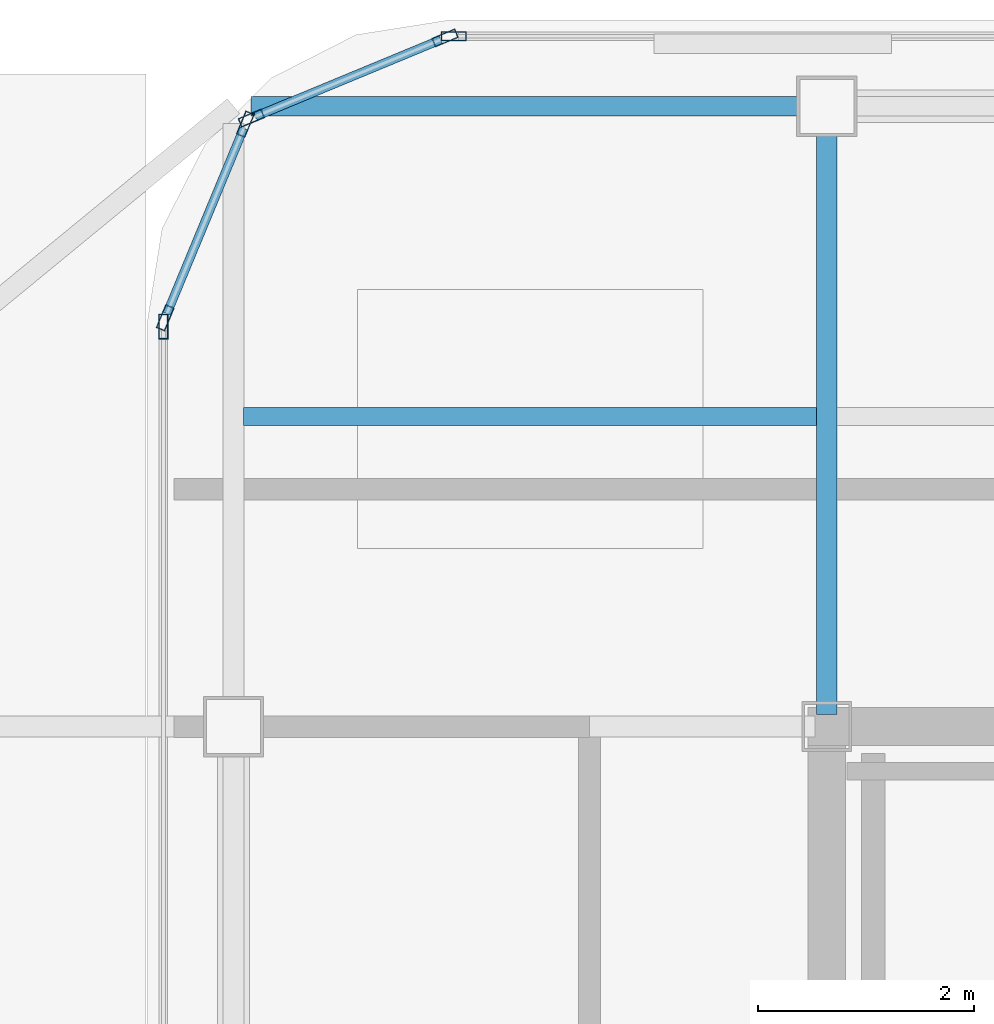
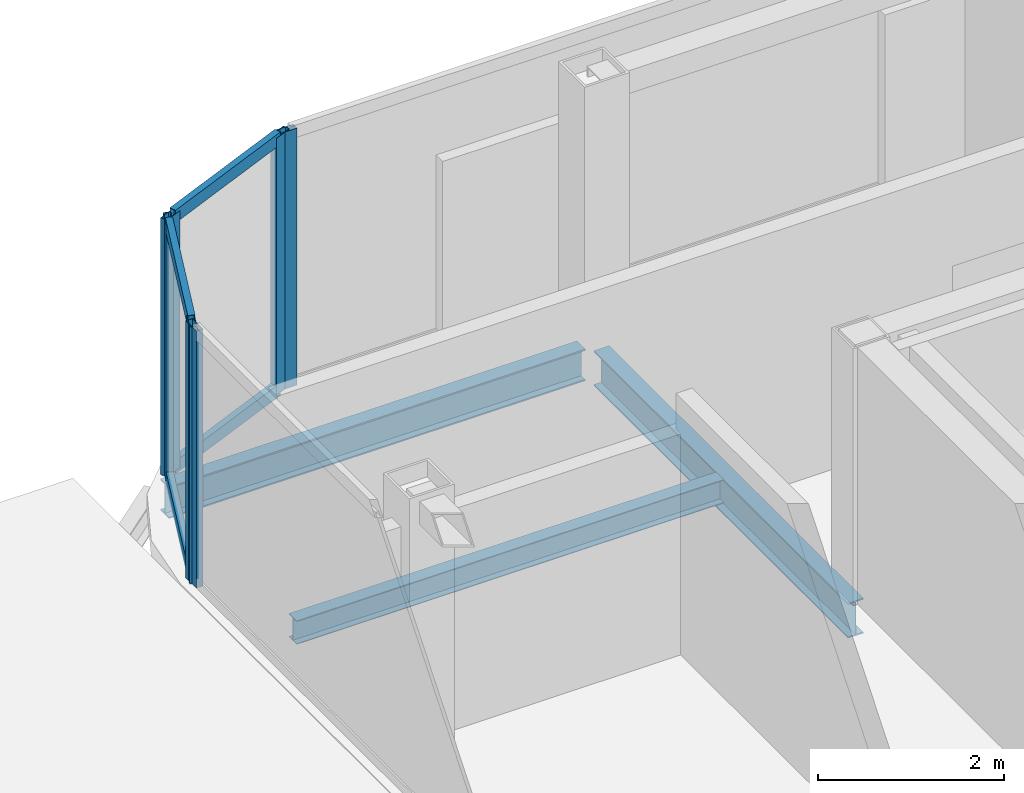
# One storey, part 4 of 11: 10 members, 3 beams, 4 elements without a shape of their own.
"""IFC4 building model written with IfcOpenShell, lengths in metres."""

from ifc_helpers import new_model, si_unit, direction, frame, origin, origin_2d, place, context, subcontext, project, spatial, hollow_rectangle, i_section, extrude, source, transform, mapped, material, layer, layer_set, material_profile, profile_set, type_object, element, aggregate, save


model = new_model("IFC4")

# Units and contexts
model_context = context("Model", 3, precision=1e-05, world=origin(), true_north=direction((0.0, 1.0)))
body_context = subcontext(model_context, "Body", "Model", "MODEL_VIEW")
ifc_project = project(units=[si_unit("LENGTHUNIT", "METRE"), si_unit("AREAUNIT", "SQUARE_METRE"), si_unit("VOLUMEUNIT", "CUBIC_METRE"), si_unit("PLANEANGLEUNIT", "RADIAN"), si_unit("MASSUNIT", "GRAM", prefix="KILO")], contexts=[model_context])

# Site, building, storey
site_placement = place(None, origin())
site = spatial("IfcSite", under=ifc_project, at=site_placement, CompositionType="ELEMENT")
building_placement = place(site_placement, origin())
building = spatial("IfcBuilding", under=site, at=building_placement, Name="Kolveth Station Tower", CompositionType="ELEMENT")
storey_placement = place(building_placement, frame((0.0, 0.0, 278.5)))
storey = spatial("IfcBuildingStorey", under=building, at=storey_placement, Name="L80", CompositionType="ELEMENT", Elevation=278.5)

# Beams
ifc_material_1 = material(Name="Steel S355", Category="steel")
ifc_material_profile_1 = material_profile(ifc_material_1, i_section(OverallWidth=0.180908203125, OverallDepth=0.4169921875, WebThickness=0.010986328125, FlangeThickness=0.018310546875, at=origin_2d()), Name="W410x85")
ifc_profile_set_1 = profile_set([ifc_material_profile_1], Name="Steel S355")
beam_type_1 = type_object("IfcBeamType", Name="Beam_B8", PredefinedType="BEAM", material=ifc_profile_set_1)
shared_shape_1 = source(origin(), body_context, "Body", "SweptSolid", [
    extrude(i_section(OverallWidth=0.180908203125, OverallDepth=0.4169921875, WebThickness=0.010986328125, FlangeThickness=0.018310546875, at=origin_2d()), origin(), (0.0, 0.0, 1.0), 5.18017578125),
])
beam_1_placement = place(storey_placement, frame((13.159912109375, 34.5, -0.428466796875), z_axis=(1.0, 0.0, 0.0), x_axis=(0.0, 1.0, 0.0)))
element("IfcBeam", 1, at=beam_1_placement, inside=storey, type_object=beam_type_1, Name="L80 Perimeter Spandrel BM-L80-PN-1", PredefinedType="BEAM", context=body_context, shape_type="MappedRepresentation", body=[
    mapped(shared_shape_1, transform((0.0, 0.0, 0.0), x_axis=(1.0, 0.0, 0.0), y_axis=(0.0, 1.0, 0.0), z_axis=(0.0, 0.0, 1.0), scale=1.0)),
])
ifc_material_profile_2 = material_profile(ifc_material_1, i_section(OverallWidth=0.19091796875, OverallDepth=0.4599609375, WebThickness=0.010009765625, FlangeThickness=0.01611328125, at=origin_2d()), Name="W460x82")
ifc_profile_set_2 = profile_set([ifc_material_profile_2], Name="Steel S355")
beam_type_2 = type_object("IfcBeamType", Name="Beam_B7", PredefinedType="BEAM", material=ifc_profile_set_2)
shared_shape_2 = source(origin(), body_context, "Body", "SweptSolid", [
    extrude(i_section(OverallWidth=0.19091796875, OverallDepth=0.4599609375, WebThickness=0.010009765625, FlangeThickness=0.01611328125, at=origin_2d()), origin(), (0.0, 0.0, 1.0), 5.47998046875),
])
beam_2_placement = place(storey_placement, frame((18.5, 28.860107421875, -0.449951171875), z_axis=(0.0, 1.0, 0.0), x_axis=(-1.0, 0.0, 0.0)))
element("IfcBeam", 2, at=beam_2_placement, inside=storey, type_object=beam_type_2, Name="L80 Primary Girder BM-L80-GX185-5", PredefinedType="BEAM", context=body_context, shape_type="MappedRepresentation", body=[
    mapped(shared_shape_2, transform((0.0, 0.0, 0.0), x_axis=(1.0, 0.0, 0.0), y_axis=(0.0, 1.0, 0.0), z_axis=(0.0, 0.0, 1.0), scale=1.0)),
])
ifc_material_profile_3 = material_profile(ifc_material_1, i_section(OverallWidth=0.1650390625, OverallDepth=0.31005859375, WebThickness=0.005859375, FlangeThickness=0.009765625, at=origin_2d()), Name="W310x39")
ifc_profile_set_3 = profile_set([ifc_material_profile_3], Name="Steel S355")
beam_type_3 = type_object("IfcBeamType", Name="Beam_J3", PredefinedType="JOIST", material=ifc_profile_set_3)
shared_shape_3 = source(origin(), body_context, "Body", "SweptSolid", [
    extrude(i_section(OverallWidth=0.1650390625, OverallDepth=0.31005859375, WebThickness=0.005859375, FlangeThickness=0.009765625, at=origin_2d()), origin(), (0.0, 0.0, 1.0), 5.31298828125),
])
beam_3_placement = place(storey_placement, frame((13.093505859375, 31.625, -0.375), z_axis=(1.0, 0.0, 0.0), x_axis=(0.0, 1.0, 0.0)))
element("IfcBeam", 3, at=beam_3_placement, inside=storey, type_object=beam_type_3, Name="L80 Secondary Joist JST-L80-2-5", PredefinedType="JOIST", context=body_context, shape_type="MappedRepresentation", body=[
    mapped(shared_shape_3, transform((0.0, 0.0, 0.0), x_axis=(1.0, 0.0, 0.0), y_axis=(0.0, 1.0, 0.0), z_axis=(0.0, 0.0, 1.0), scale=1.0)),
])

# Curtain wall, member
ifc_material_2 = material(Name="Black anodized aluminium 6063-T6 and dark crown glass", Category="aluminium")
ifc_layer = layer(ifc_material_2, 0.169921875)
ifc_layer_set = layer_set([ifc_layer], Name="Black anodized aluminium 6063-T6 and dark crown glass")
curtain_wall_type = type_object("IfcCurtainWallType", Name="CurtainWall_CW-CR", PredefinedType="NOTDEFINED", material=ifc_layer_set)
curtain_wall_1_placement = place(storey_placement, origin())
curtain_wall_1 = element("IfcCurtainWall", 4, at=curtain_wall_1_placement, inside=storey, type_object=curtain_wall_type, Name="L80 Stepped Crown Curtain Wall 6", PredefinedType="NOTDEFINED")
ifc_material_3 = material(Name="Black anodized aluminium 6063-T6", Category="aluminium")
ifc_material_profile_4 = material_profile(ifc_material_3, hollow_rectangle(XDim=0.0849609375, YDim=0.22998046875, WallThickness=0.0048828125, at=origin_2d()), Name="ALU-85x230x5")
ifc_profile_set_4 = profile_set([ifc_material_profile_4], Name="Black anodized aluminium 6063-T6")
member_type_1 = type_object("IfcMemberType", Name="Mullion_ML-CR", PredefinedType="MULLION", material=ifc_profile_set_4)
shared_shape_4 = source(origin(), body_context, "Body", "SweptSolid", [
    extrude(hollow_rectangle(XDim=0.0849609375, YDim=0.22998046875, WallThickness=0.0048828125, at=origin_2d()), origin(), (0.0, 0.0, 1.0), 3.3798828125),
])
member_1_placement = place(storey_placement, frame((15.04248046875, 35.14990234375, 0.0), z_axis=(0.0, 0.0, 1.0), x_axis=(0.0, -1.0, 0.0)))
member_1 = element("IfcMember", 5, at=member_1_placement, type_object=member_type_1, Name="CW-CR mullion 2", PredefinedType="MULLION", context=body_context, shape_type="MappedRepresentation", body=[
    mapped(shared_shape_4, transform((0.0, 0.0, 0.0), x_axis=(1.0, 0.0, 0.0), y_axis=(0.0, 1.0, 0.0), z_axis=(0.0, 0.0, 1.0), scale=1.0)),
])
aggregate(curtain_wall_1, [member_1])

# Curtain wall, members
curtain_wall_2_placement = place(storey_placement, origin())
curtain_wall_2 = element("IfcCurtainWall", 6, at=curtain_wall_2_placement, inside=storey, type_object=curtain_wall_type, Name="L80 Stepped Crown Curtain Wall 7", PredefinedType="NOTDEFINED")
member_2_placement = place(storey_placement, frame((14.960693359375, 35.1337890625, 0.0), z_axis=(0.0, 0.0, 1.0), x_axis=(0.382703054797, -0.92387140439, 0.0)))
member_2 = element("IfcMember", 7, at=member_2_placement, type_object=member_type_1, Name="CW-CR mullion 1", PredefinedType="MULLION", context=body_context, shape_type="MappedRepresentation", body=[
    mapped(shared_shape_4, transform((0.0, 0.0, 0.0), x_axis=(1.0, 0.0, 0.0), y_axis=(0.0, 1.0, 0.0), z_axis=(0.0, 0.0, 1.0), scale=1.0)),
])
member_3_placement = place(storey_placement, frame((13.16552734375, 34.39013671875, 0.0), z_axis=(0.0, 0.0, 1.0), x_axis=(0.382703054797, -0.92387140439, 0.0)))
member_3 = element("IfcMember", 8, at=member_3_placement, type_object=member_type_1, Name="CW-CR mullion 2", PredefinedType="MULLION", context=body_context, shape_type="MappedRepresentation", body=[
    mapped(shared_shape_4, transform((0.0, 0.0, 0.0), x_axis=(1.0, 0.0, 0.0), y_axis=(0.0, 1.0, 0.0), z_axis=(0.0, 0.0, 1.0), scale=1.0)),
])

curtain_wall_3_placement = place(storey_placement, origin())
curtain_wall_3 = element("IfcCurtainWall", 9, at=curtain_wall_3_placement, inside=storey, type_object=curtain_wall_type, Name="L80 Stepped Crown Curtain Wall 8", PredefinedType="NOTDEFINED")
member_4_placement = place(storey_placement, frame((13.10986328125, 34.33447265625, 0.0), z_axis=(0.0, 0.0, 1.0), x_axis=(0.92387140439, -0.382703054797, 0.0)))
member_4 = element("IfcMember", 10, at=member_4_placement, type_object=member_type_1, Name="CW-CR mullion 1", PredefinedType="MULLION", context=body_context, shape_type="MappedRepresentation", body=[
    mapped(shared_shape_4, transform((0.0, 0.0, 0.0), x_axis=(1.0, 0.0, 0.0), y_axis=(0.0, 1.0, 0.0), z_axis=(0.0, 0.0, 1.0), scale=1.0)),
])
member_5_placement = place(storey_placement, frame((12.3662109375, 32.539306640625, 0.0), z_axis=(0.0, 0.0, 1.0), x_axis=(0.92387140439, -0.382703054797, 0.0)))
member_5 = element("IfcMember", 11, at=member_5_placement, type_object=member_type_1, Name="CW-CR mullion 2", PredefinedType="MULLION", context=body_context, shape_type="MappedRepresentation", body=[
    mapped(shared_shape_4, transform((0.0, 0.0, 0.0), x_axis=(1.0, 0.0, 0.0), y_axis=(0.0, 1.0, 0.0), z_axis=(0.0, 0.0, 1.0), scale=1.0)),
])

# Curtain wall, member
curtain_wall_4_placement = place(storey_placement, origin())
curtain_wall_4 = element("IfcCurtainWall", 12, at=curtain_wall_4_placement, inside=storey, type_object=curtain_wall_type, Name="L80 Stepped Crown Curtain Wall 9", PredefinedType="NOTDEFINED")
member_6_placement = place(storey_placement, frame((12.35009765625, 32.45751953125, 0.0), z_axis=(0.0, 0.0, 1.0), x_axis=(1.0, 0.0, 0.0)))
member_6 = element("IfcMember", 13, at=member_6_placement, type_object=member_type_1, Name="CW-CR mullion 1", PredefinedType="MULLION", context=body_context, shape_type="MappedRepresentation", body=[
    mapped(shared_shape_4, transform((0.0, 0.0, 0.0), x_axis=(1.0, 0.0, 0.0), y_axis=(0.0, 1.0, 0.0), z_axis=(0.0, 0.0, 1.0), scale=1.0)),
])
aggregate(curtain_wall_4, [member_6])

# Member
ifc_material_profile_5 = material_profile(ifc_material_3, hollow_rectangle(XDim=0.080078125, YDim=0.1650390625, WallThickness=0.0048828125, at=origin_2d()), Name="ALU-80x165x5")
ifc_profile_set_5 = profile_set([ifc_material_profile_5], Name="Black anodized aluminium 6063-T6")
member_type_2 = type_object("IfcMemberType", Name="Transom_TR-CR", PredefinedType="USERDEFINED", material=ifc_profile_set_5)
shared_shape_5 = source(origin(), body_context, "Body", "SweptSolid", [
    extrude(hollow_rectangle(XDim=0.080078125, YDim=0.1650390625, WallThickness=0.0048828125, at=origin_2d()), origin(), (0.0, 0.0, 1.0), 1.858154296875),
])
member_7_placement = place(storey_placement, frame((14.92138671875, 35.117431640625, 0.0400390625), z_axis=(-0.923848662362, -0.382757950997, 0.0), x_axis=(0.382757950997, -0.923848662362, 0.0)))
member_7 = element("IfcMember", 14, at=member_7_placement, type_object=member_type_2, Name="CW-CR transom 1.1", ObjectType="TRANSOM", PredefinedType="USERDEFINED", context=body_context, shape_type="MappedRepresentation", body=[
    mapped(shared_shape_5, transform((0.0, 0.0, 0.0), x_axis=(1.0, 0.0, 0.0), y_axis=(0.0, 1.0, 0.0), z_axis=(0.0, 0.0, 1.0), scale=1.0)),
])

member_8_placement = place(storey_placement, frame((14.92138671875, 35.117431640625, 3.340087890625), z_axis=(-0.923848662362, -0.382757950997, 0.0), x_axis=(0.382757950997, -0.923848662362, 0.0)))
member_8 = element("IfcMember", 15, at=member_8_placement, type_object=member_type_2, Name="CW-CR transom 1.2", ObjectType="TRANSOM", PredefinedType="USERDEFINED", context=body_context, shape_type="MappedRepresentation", body=[
    mapped(shared_shape_5, transform((0.0, 0.0, 0.0), x_axis=(1.0, 0.0, 0.0), y_axis=(0.0, 1.0, 0.0), z_axis=(0.0, 0.0, 1.0), scale=1.0)),
])

aggregate(curtain_wall_2, [member_2, member_3, member_7, member_8])

member_9_placement = place(storey_placement, frame((13.09375, 34.295166015625, 0.0400390625), z_axis=(-0.382757950997, -0.923848662362, 0.0), x_axis=(0.923848662362, -0.382757950997, 0.0)))
member_9 = element("IfcMember", 16, at=member_9_placement, type_object=member_type_2, Name="CW-CR transom 1.1", ObjectType="TRANSOM", PredefinedType="USERDEFINED", context=body_context, shape_type="MappedRepresentation", body=[
    mapped(shared_shape_5, transform((0.0, 0.0, 0.0), x_axis=(1.0, 0.0, 0.0), y_axis=(0.0, 1.0, 0.0), z_axis=(0.0, 0.0, 1.0), scale=1.0)),
])

member_10_placement = place(storey_placement, frame((13.09375, 34.295166015625, 3.340087890625), z_axis=(-0.382757950997, -0.923848662362, 0.0), x_axis=(0.923848662362, -0.382757950997, 0.0)))
member_10 = element("IfcMember", 17, at=member_10_placement, type_object=member_type_2, Name="CW-CR transom 1.2", ObjectType="TRANSOM", PredefinedType="USERDEFINED", context=body_context, shape_type="MappedRepresentation", body=[
    mapped(shared_shape_5, transform((0.0, 0.0, 0.0), x_axis=(1.0, 0.0, 0.0), y_axis=(0.0, 1.0, 0.0), z_axis=(0.0, 0.0, 1.0), scale=1.0)),
])

aggregate(curtain_wall_3, [member_4, member_5, member_9, member_10])

save(model, "model.ifc")
